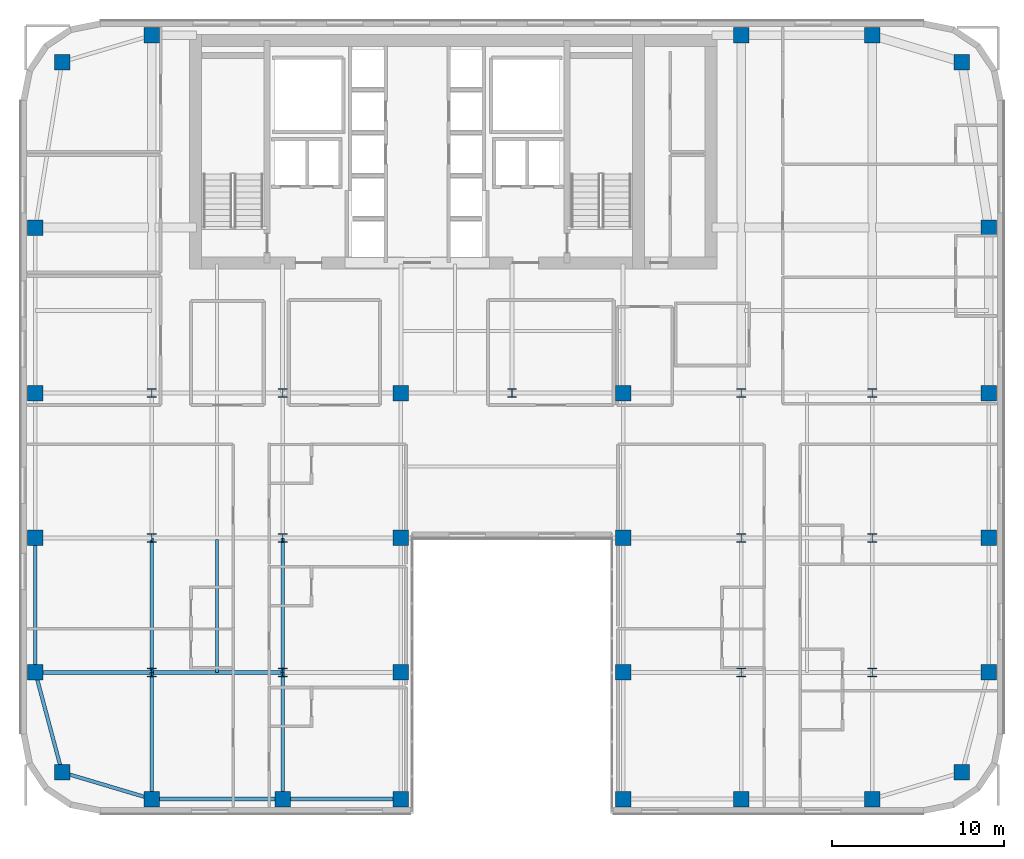
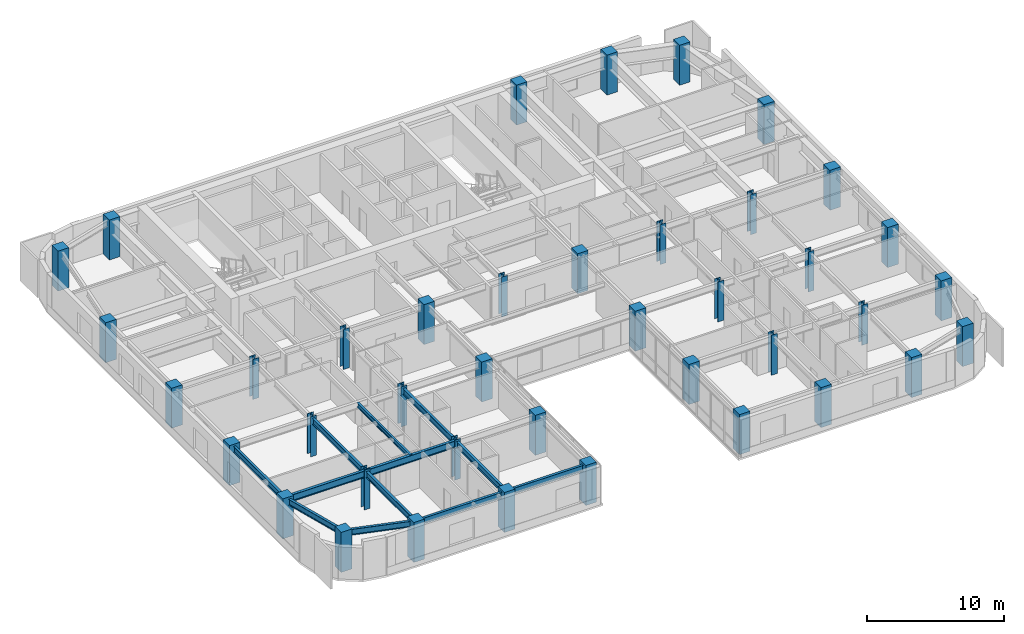
# One storey, part 1 of 24: 40 columns, 12 beams.
"""IFC4 building model written with IfcOpenShell, lengths in metres."""

import ifcopenshell
import ifcopenshell.guid

model = None  # the IFC model being written
_history = None  # IfcOwnerHistory: only IFC2X3 demands one
_inside = {}  # id of a spatial element -> (the spatial element, [elements in it])
_under = {}  # id of a project, library or spatial element -> (it, [spatial elements below it])
_declared = {}  # id of a project -> (the project, [libraries it declares])
_typed = {}  # id of a type object -> (the type object, [elements of that type])
_made_of = {}  # id of a material, layer set ... -> (it, [elements and type objects made of it])


def new_model(schema):
    """Start an empty IFC model of exactly this schema.

    Asked for "IFC4X3", IfcOpenShell would pick the latest addendum, in which some entities
    have other attributes; the version numbers below select the first issue.
    IFC2X3 requires an IfcOwnerHistory on every rooted entity: one is made here for all.
    """
    global model, _history
    if schema == "IFC4X3":
        model = ifcopenshell.file(schema_version=(4, 3, 0, 0))
    else:
        model = ifcopenshell.file(schema=schema)
    _inside.clear()
    _under.clear()
    _declared.clear()
    _typed.clear()
    _made_of.clear()
    _history = None
    if model.schema == "IFC2X3":
        org = make("IfcOrganization", Name="unknown")
        user = make(
            "IfcPersonAndOrganization",
            ThePerson=make("IfcPerson", FamilyName="unknown"),
            TheOrganization=org,
        )
        app = make(
            "IfcApplication",
            ApplicationDeveloper=org,
            Version="unknown",
            ApplicationFullName="unknown",
            ApplicationIdentifier="unknown",
        )
        _history = make(
            "IfcOwnerHistory",
            OwningUser=user,
            OwningApplication=app,
            ChangeAction="ADDED",
            CreationDate=0,
        )
    return model


def make(cls, **values):
    """One entity of the class cls with the attributes given. An attribute that is None is left unset."""
    return model.create_entity(
        cls, **{name: value for name, value in values.items() if value is not None}
    )


def rooted(cls, **values):
    """An entity with a GlobalId (a new one), such as an element, a storey or a relation."""
    return make(cls, GlobalId=ifcopenshell.guid.new(), OwnerHistory=_history, **values)


def si_unit(unit_type, name, prefix=None):
    """IfcSIUnit, for example si_unit("LENGTHUNIT", "METRE", prefix="MILLI")."""
    return make("IfcSIUnit", UnitType=unit_type, Prefix=prefix, Name=name)


def assignment(units):
    """IfcUnitAssignment: the units of a project."""
    return None if units is None else make("IfcUnitAssignment", Units=units)


def point(xyz):
    """IfcCartesianPoint."""
    return None if xyz is None else make("IfcCartesianPoint", Coordinates=xyz)


def direction(xyz):
    """IfcDirection."""
    return None if xyz is None else make("IfcDirection", DirectionRatios=xyz)


def frame(location, z_axis=None, x_axis=None):
    """IfcAxis2Placement3D, a coordinate frame: its origin and axes. An axis left out is left unset."""
    return make(
        "IfcAxis2Placement3D",
        Location=point(location),
        Axis=direction(z_axis),
        RefDirection=direction(x_axis),
    )


def frame_2d(location, x_axis=None):
    """IfcAxis2Placement2D, a coordinate frame in the plane: its origin and x axis."""
    return make(
        "IfcAxis2Placement2D", Location=point(location), RefDirection=direction(x_axis)
    )


def origin():
    """The frame at (0, 0, 0) with its axes left unset."""
    return frame((0.0, 0.0, 0.0))


def origin_2d():
    """The frame at (0, 0) in the plane with its x axis left unset."""
    return frame_2d((0.0, 0.0))


def place(relative_to, where):
    """IfcLocalPlacement: puts the frame where relative to a parent placement (None: the world)."""
    return make(
        "IfcLocalPlacement", PlacementRelTo=relative_to, RelativePlacement=where
    )


def context(
    kind, dimensions, precision=None, world=None, true_north=None, identifier=None
):
    """IfcGeometricRepresentationContext, for example the 3D "Model" context."""
    return make(
        "IfcGeometricRepresentationContext",
        ContextIdentifier=identifier,
        ContextType=kind,
        CoordinateSpaceDimension=dimensions,
        Precision=precision,
        WorldCoordinateSystem=world,
        TrueNorth=true_north,
    )


def subcontext(parent, identifier, kind, view, scale=None):
    """IfcGeometricRepresentationSubContext, for example "Body" below "Model"."""
    return make(
        "IfcGeometricRepresentationSubContext",
        ContextIdentifier=identifier,
        ContextType=kind,
        ParentContext=parent,
        TargetScale=scale,
        TargetView=view,
    )


def project(units=None, contexts=None):
    """IfcProject with its units and contexts."""
    return rooted(
        "IfcProject",
        Name="project",
        RepresentationContexts=contexts,
        UnitsInContext=assignment(units),
    )


def spatial(cls, under=None, at=None, **own):
    """A site, building, storey or space (cls), placed at a placement, below another one or the project."""
    s = rooted(cls, ObjectPlacement=at, **own)
    if under is not None:
        _under.setdefault(under.id(), (under, []))[1].append(s)
    return s


def profile(cls, at=None, kind="AREA", **sizes):
    """A parametric profile (cls). Its sizes go by their IFC names, for example OverallWidth=200.0."""
    return make(cls, ProfileType=kind, Position=at, **sizes)


def rectangle(**sizes):
    """IfcRectangleProfileDef."""
    return profile("IfcRectangleProfileDef", **sizes)


def i_section(**sizes):
    """IfcIShapeProfileDef."""
    return profile("IfcIShapeProfileDef", **sizes)


def extrude(swept, where, along, depth):
    """IfcExtrudedAreaSolid: the profile swept, set in the frame where, extruded along a direction by depth."""
    return make(
        "IfcExtrudedAreaSolid",
        SweptArea=swept,
        Position=where,
        ExtrudedDirection=direction(along),
        Depth=depth,
    )


def shape(context_of_items, identifier, shape_type, items):
    """IfcShapeRepresentation: the items that make up one representation, for example the "Body"."""
    return make(
        "IfcShapeRepresentation",
        ContextOfItems=context_of_items,
        RepresentationIdentifier=identifier,
        RepresentationType=shape_type,
        Items=items,
    )


def source(mapping_origin, context_of_items, identifier, shape_type, items):
    """IfcRepresentationMap: a shape defined once, which mapped items show again and again."""
    return make(
        "IfcRepresentationMap",
        MappingOrigin=mapping_origin,
        MappedRepresentation=shape(context_of_items, identifier, shape_type, items),
    )


def transform(
    local_origin,
    x_axis=None,
    y_axis=None,
    z_axis=None,
    scale=None,
    scale2=None,
    scale3=None,
    uniform=True,
):
    """IfcCartesianTransformationOperator3D, or its non-uniform kind. x_axis, y_axis, z_axis: its Axis1, 2, 3."""
    if uniform:
        return make(
            "IfcCartesianTransformationOperator3D",
            Axis1=direction(x_axis),
            Axis2=direction(y_axis),
            LocalOrigin=point(local_origin),
            Scale=scale,
            Axis3=direction(z_axis),
        )
    return make(
        "IfcCartesianTransformationOperator3DnonUniform",
        Axis1=direction(x_axis),
        Axis2=direction(y_axis),
        LocalOrigin=point(local_origin),
        Scale=scale,
        Axis3=direction(z_axis),
        Scale2=scale2,
        Scale3=scale3,
    )


def mapped(mapping_source, mapping_target):
    """IfcMappedItem: shows the shape of a source again, moved by a transform."""
    return make(
        "IfcMappedItem", MappingSource=mapping_source, MappingTarget=mapping_target
    )


def material(Name=None, Category=None):
    """IfcMaterial."""
    return make("IfcMaterial", Name=Name, Category=Category)


def material_profile(
    of_material, cross_section, Name=None, Category=None, Priority=None
):
    """IfcMaterialProfile: a cross section and its material."""
    return make(
        "IfcMaterialProfile",
        Name=Name,
        Material=of_material,
        Profile=cross_section,
        Priority=Priority,
        Category=Category,
    )


def profile_set(profiles, Name=None, composite=None):
    """IfcMaterialProfileSet."""
    return make(
        "IfcMaterialProfileSet",
        Name=Name,
        MaterialProfiles=profiles,
        CompositeProfile=composite,
    )


def made_of(thing, what):
    """Note that an element or type object is made of a material, layer set ...; save() writes the relation."""
    if what is not None:
        _made_of.setdefault(what.id(), (what, []))[1].append(thing)
    return thing


def type_object(cls, material=None, **own):
    """A type object (cls), such as IfcWallType, which elements share."""
    return made_of(rooted(cls, **own), material)


def type_shapes(of_type, sources):
    """Give a type object the sources (RepresentationMaps) that its elements show as mapped items."""
    of_type.RepresentationMaps = sources


def element(
    cls,
    number,
    at=None,
    inside=None,
    cuts=None,
    type_object=None,
    material=None,
    context=None,
    identifier="Body",
    shape_type=None,
    held_by="IfcProductDefinitionShape",
    body=None,
    shapes=None,
    **own,
):
    """One element of the class cls, such as IfcWall. Its Tag is "e" and its number.

    at: its placement. inside: the storey or other place that contains it. cuts: it is an
    opening in that element (IfcRelVoidsElement). A single representation is given by context,
    identifier, shape_type and body (its items); several are given by shapes. held_by: the class
    of the entity that holds the representations. save() writes the other relations.
    """
    e = rooted(cls, Tag="e%d" % number, ObjectPlacement=at, **own)
    if body is not None:
        shapes = [shape(context, identifier, shape_type, body)]
    if shapes is not None:
        e.Representation = make(held_by, Representations=shapes)
    if inside is not None:
        _inside.setdefault(inside.id(), (inside, []))[1].append(e)
    if cuts is not None:
        rooted(
            "IfcRelVoidsElement", RelatingBuildingElement=cuts, RelatedOpeningElement=e
        )
    if type_object is not None:
        _typed.setdefault(type_object.id(), (type_object, []))[1].append(e)
    return made_of(e, material)


def aggregate(whole, parts):
    """IfcRelAggregates: a whole, such as a stair, and the parts it consists of."""
    return rooted("IfcRelAggregates", RelatingObject=whole, RelatedObjects=parts)


def save(model, path):
    """Write the relations noted so far, then the file.

    IfcRelAggregates (storeys below a building ...), IfcRelContainedInSpatialStructure (elements
    in a storey), IfcRelDefinesByType, IfcRelAssociatesMaterial and IfcRelDeclares: one each for
    every whole, place, type object, material and project.
    """
    for whole, parts in _under.values():
        aggregate(whole, parts)
    for where, things in _inside.values():
        rooted(
            "IfcRelContainedInSpatialStructure",
            RelatedElements=things,
            RelatingStructure=where,
        )
    for kind, things in _typed.values():
        rooted("IfcRelDefinesByType", RelatedObjects=things, RelatingType=kind)
    for what, things in _made_of.values():
        rooted("IfcRelAssociatesMaterial", RelatedObjects=things, RelatingMaterial=what)
    for by, libraries in _declared.values():
        rooted("IfcRelDeclares", RelatingContext=by, RelatedDefinitions=libraries)
    model.write(path)


model = new_model("IFC4")

# Units and contexts
model_context = context("Model", 3, precision=1e-05, world=origin(), true_north=direction((0.0, 1.0)))
body_context = subcontext(model_context, "Body", "Model", "MODEL_VIEW")
ifc_project = project(units=[si_unit("LENGTHUNIT", "METRE"), si_unit("AREAUNIT", "SQUARE_METRE"), si_unit("VOLUMEUNIT", "CUBIC_METRE"), si_unit("PLANEANGLEUNIT", "RADIAN"), si_unit("MASSUNIT", "GRAM", prefix="KILO")], contexts=[model_context])

# Site, building, storey
site_placement = place(None, origin())
site = spatial("IfcSite", under=ifc_project, at=site_placement, CompositionType="ELEMENT")
building_placement = place(site_placement, origin())
building = spatial("IfcBuilding", under=site, at=building_placement, Name="Tolvann Quenvar Hotel", CompositionType="ELEMENT")
storey_placement = place(building_placement, frame((0.0, 0.0, 139.949951171875)))
storey = spatial("IfcBuildingStorey", under=building, at=storey_placement, Name="L36", CompositionType="ELEMENT", Elevation=139.949951171875)

# Columns
ifc_material_1 = material(Name="Concrete S65 (65 MPa)", Category="concrete")
ifc_material_profile_1 = material_profile(ifc_material_1, rectangle(XDim=0.89990234375, YDim=0.89990234375, at=origin_2d()), Name="RC900x900")
ifc_profile_set_1 = profile_set([ifc_material_profile_1], Name="Concrete S65 (65 MPa)")
column_type_1 = type_object("IfcColumnType", Name="COL_RC900", PredefinedType="COLUMN", material=ifc_profile_set_1)
shared_shape_1 = source(origin(), body_context, "Body", "SweptSolid", [
    extrude(rectangle(XDim=0.89990234375, YDim=0.89990234375, at=origin_2d()), origin(), (0.0, 0.0, 1.0), 3.550048828125),
])
type_shapes(column_type_1, [shared_shape_1])
for number, where, z_axis, x_axis, name in (
    (1, (2.39990234375, 2.39990234375, 0.0), (0.0, 0.0, 1.0), (1.0, 0.0, 0.0), "Column B2 (L36)"),
    (2, (0.85009765625, 8.199951171875, 0.0), (0.0, 0.0, 1.0), (1.0, 0.0, 0.0), "Column B3 (L36)"),
    (3, (0.85009765625, 16.0, 0.0), (0.0, 0.0, 1.0), (1.0, 0.0, 0.0), "Column B4 (L36)"),
    (4, (0.85009765625, 24.39990234375, 0.0), (0.0, 0.0, 1.0), (1.0, 0.0, 0.0), "Column B5 (L36)"),
    (5, (7.60009765625, 0.85009765625, 0.0), (0.0, 0.0, 1.0), (1.0, 0.0, 0.0), "Column C2 (L36)"),
    (6, (15.199951171875, 0.85009765625, 0.0), (0.0, 0.0, 1.0), (1.0, 0.0, 0.0), "Column D2 (L36)"),
    (7, (22.050048828125, 0.85009765625, 0.0), (0.0, 0.0, 1.0), (1.0, 0.0, 0.0), "Column E2 (L36)"),
    (8, (22.050048828125, 8.199951171875, 0.0), (0.0, 0.0, 1.0), (1.0, 0.0, 0.0), "Column E3 (L36)"),
    (9, (22.050048828125, 16.0, 0.0), (0.0, 0.0, 1.0), (1.0, 0.0, 0.0), "Column E4 (L36)"),
    (10, (22.050048828125, 24.39990234375, 0.0), (0.0, 0.0, 1.0), (1.0, 0.0, 0.0), "Column E5 (L36)"),
    (11, (34.949951171875, 0.85009765625, 0.0), (0.0, 0.0, 1.0), (1.0, 0.0, 0.0), "Column F2 (L36)"),
    (12, (34.949951171875, 8.199951171875, 0.0), (0.0, 0.0, 1.0), (1.0, 0.0, 0.0), "Column F3 (L36)"),
    (13, (34.949951171875, 16.0, 0.0), (0.0, 0.0, 1.0), (1.0, 0.0, 0.0), "Column F4 (L36)"),
    (14, (34.949951171875, 24.39990234375, 0.0), (0.0, 0.0, 1.0), (1.0, 0.0, 0.0), "Column F5 (L36)"),
    (15, (41.800048828125, 0.85009765625, 0.0), (0.0, 0.0, 1.0), (1.0, 0.0, 0.0), "Column H2 (L36)"),
    (16, (49.39990234375, 0.85009765625, 0.0), (0.0, 0.0, 1.0), (1.0, 0.0, 0.0), "Column I2 (L36)"),
    (17, (54.60009765625, 2.39990234375, 0.0), (0.0, 0.0, 1.0), (1.0, 0.0, 0.0), "Column J2 (L36)"),
    (18, (56.14990234375, 8.199951171875, 0.0), (0.0, 0.0, 1.0), (1.0, 0.0, 0.0), "Column J3 (L36)"),
    (19, (56.14990234375, 16.0, 0.0), (0.0, 0.0, 1.0), (1.0, 0.0, 0.0), "Column J4 (L36)"),
    (20, (56.14990234375, 24.39990234375, 0.0), (0.0, 0.0, 1.0), (1.0, 0.0, 0.0), "Column J5 (L36)"),
    (21, (2.39990234375, 43.60009765625, 0.0), (0.0, 0.0, 1.0), (1.0, 0.0, 0.0), "Column BN (L36)"),
    (22, (7.60009765625, 45.14990234375, 0.0), (0.0, 0.0, 1.0), (1.0, 0.0, 0.0), "Column CN (L36)"),
    (23, (0.85009765625, 34.0, 0.0), (0.0, 0.0, 1.0), (1.0, 0.0, 0.0), "Column BD6 (L36)"),
    (24, (41.800048828125, 45.14990234375, 0.0), (0.0, 0.0, 1.0), (1.0, 0.0, 0.0), "Column HN (L36)"),
    (25, (49.39990234375, 45.14990234375, 0.0), (0.0, 0.0, 1.0), (1.0, 0.0, 0.0), "Column IN (L36)"),
    (26, (54.60009765625, 43.60009765625, 0.0), (0.0, 0.0, 1.0), (1.0, 0.0, 0.0), "Column JN (L36)"),
    (27, (56.14990234375, 34.0, 0.0), (0.0, 0.0, 1.0), (1.0, 0.0, 0.0), "Column JD6 (L36)"),
):
    element("IfcColumn", number, at=place(storey_placement, frame(where, z_axis=z_axis, x_axis=x_axis)), inside=storey, type_object=column_type_1, Name=name, PredefinedType="COLUMN", context=body_context, shape_type="MappedRepresentation", body=[
        mapped(shared_shape_1, transform((0.0, 0.0, 0.0), x_axis=(1.0, 0.0, 0.0), y_axis=(0.0, 1.0, 0.0), z_axis=(0.0, 0.0, 1.0), scale=1.0)),
    ])
ifc_material_2 = material(Name="Steel Grade 350", Category="steel")
ifc_material_profile_2 = material_profile(ifc_material_2, i_section(OverallWidth=0.5, OverallDepth=0.5, WebThickness=0.02197265625, FlangeThickness=0.033935546875, at=origin_2d()), Name="500WC340")
ifc_profile_set_2 = profile_set([ifc_material_profile_2], Name="Steel Grade 350")
column_type_2 = type_object("IfcColumnType", Name="COL_500WC340", PredefinedType="COLUMN", material=ifc_profile_set_2)
shared_shape_2 = source(origin(), body_context, "Body", "SweptSolid", [
    extrude(i_section(OverallWidth=0.5, OverallDepth=0.5, WebThickness=0.02197265625, FlangeThickness=0.033935546875, at=origin_2d()), origin(), (0.0, 0.0, 1.0), 3.550048828125),
])
type_shapes(column_type_2, [shared_shape_2])
for number, where, z_axis, x_axis, name in (
    (28, (7.60009765625, 8.199951171875, 0.0), (0.0, 0.0, 1.0), (1.0, 0.0, 0.0), "Column C3 (L36)"),
    (29, (7.60009765625, 16.0, 0.0), (0.0, 0.0, 1.0), (1.0, 0.0, 0.0), "Column C4 (L36)"),
    (30, (7.60009765625, 24.39990234375, 0.0), (0.0, 0.0, 1.0), (1.0, 0.0, 0.0), "Column C5 (L36)"),
    (31, (15.199951171875, 8.199951171875, 0.0), (0.0, 0.0, 1.0), (1.0, 0.0, 0.0), "Column D3 (L36)"),
    (32, (15.199951171875, 16.0, 0.0), (0.0, 0.0, 1.0), (1.0, 0.0, 0.0), "Column D4 (L36)"),
    (33, (15.199951171875, 24.39990234375, 0.0), (0.0, 0.0, 1.0), (1.0, 0.0, 0.0), "Column D5 (L36)"),
    (34, (41.800048828125, 8.199951171875, 0.0), (0.0, 0.0, 1.0), (1.0, 0.0, 0.0), "Column H3 (L36)"),
    (35, (41.800048828125, 16.0, 0.0), (0.0, 0.0, 1.0), (1.0, 0.0, 0.0), "Column H4 (L36)"),
    (36, (41.800048828125, 24.39990234375, 0.0), (0.0, 0.0, 1.0), (1.0, 0.0, 0.0), "Column H5 (L36)"),
    (37, (49.39990234375, 8.199951171875, 0.0), (0.0, 0.0, 1.0), (1.0, 0.0, 0.0), "Column I3 (L36)"),
    (38, (49.39990234375, 16.0, 0.0), (0.0, 0.0, 1.0), (1.0, 0.0, 0.0), "Column I4 (L36)"),
    (39, (49.39990234375, 24.39990234375, 0.0), (0.0, 0.0, 1.0), (1.0, 0.0, 0.0), "Column I5 (L36)"),
    (40, (28.5, 24.39990234375, 0.0), (0.0, 0.0, 1.0), (1.0, 0.0, 0.0), "Column M5 (L36)"),
):
    element("IfcColumn", number, at=place(storey_placement, frame(where, z_axis=z_axis, x_axis=x_axis)), inside=storey, type_object=column_type_2, Name=name, PredefinedType="COLUMN", context=body_context, shape_type="MappedRepresentation", body=[
        mapped(shared_shape_2, transform((0.0, 0.0, 0.0), x_axis=(1.0, 0.0, 0.0), y_axis=(0.0, 1.0, 0.0), z_axis=(0.0, 0.0, 1.0), scale=1.0)),
    ])

# Beams
ifc_material_profile_3 = material_profile(ifc_material_2, i_section(OverallWidth=0.208984375, OverallDepth=0.528076171875, WebThickness=0.009521484375, FlangeThickness=0.01318359375, FilletRadius=0.013916015625, at=origin_2d()), Name="530UB82")
ifc_profile_set_3 = profile_set([ifc_material_profile_3], Name="Steel Grade 350")
beam_type_1 = type_object("IfcBeamType", Name="BM_SPAND_530UB82", PredefinedType="SPANDREL", material=ifc_profile_set_3)
shared_shape_3 = source(origin(), body_context, "Body", "SweptSolid", [
    extrude(i_section(OverallWidth=0.208984375, OverallDepth=0.528076171875, WebThickness=0.009521484375, FlangeThickness=0.01318359375, FilletRadius=0.013916015625, at=origin_2d()), origin(), (0.0, 0.0, 1.0), 5.42626953125),
])
beam_1_placement = place(storey_placement, frame((2.39990234375, 2.39990234375, 3.10595703125), z_axis=(0.958344815522, -0.285613750654, 0.0), x_axis=(0.285613750654, 0.958344815522, 0.0)))
element("IfcBeam", 41, at=beam_1_placement, inside=storey, type_object=beam_type_1, Name="BM-L36-EW-2-B2-C2", PredefinedType="SPANDREL", context=body_context, shape_type="MappedRepresentation", body=[
    mapped(shared_shape_3, transform((0.0, 0.0, 0.0), x_axis=(1.0, 0.0, 0.0), y_axis=(0.0, 1.0, 0.0), z_axis=(0.0, 0.0, 1.0), scale=1.0)),
])
shared_shape_4 = source(origin(), body_context, "Body", "SweptSolid", [
    extrude(i_section(OverallWidth=0.208984375, OverallDepth=0.528076171875, WebThickness=0.009521484375, FlangeThickness=0.01318359375, FilletRadius=0.013916015625, at=origin_2d()), origin(), (0.0, 0.0, 1.0), 7.599853515625),
])
beam_2_placement = place(storey_placement, frame((7.60009765625, 0.85009765625, 3.10595703125), z_axis=(1.0, 0.0, 0.0), x_axis=(0.0, 1.0, 0.0)))
element("IfcBeam", 42, at=beam_2_placement, inside=storey, type_object=beam_type_1, Name="BM-L36-EW-2-C2-D2", PredefinedType="SPANDREL", context=body_context, shape_type="MappedRepresentation", body=[
    mapped(shared_shape_4, transform((0.0, 0.0, 0.0), x_axis=(1.0, 0.0, 0.0), y_axis=(0.0, 1.0, 0.0), z_axis=(0.0, 0.0, 1.0), scale=1.0)),
])
shared_shape_5 = source(origin(), body_context, "Body", "SweptSolid", [
    extrude(i_section(OverallWidth=0.208984375, OverallDepth=0.528076171875, WebThickness=0.009521484375, FlangeThickness=0.01318359375, FilletRadius=0.013916015625, at=origin_2d()), origin(), (0.0, 0.0, 1.0), 6.85009765625),
])
beam_3_placement = place(storey_placement, frame((15.199951171875, 0.85009765625, 3.10595703125), z_axis=(1.0, 0.0, 0.0), x_axis=(0.0, 1.0, 0.0)))
element("IfcBeam", 43, at=beam_3_placement, inside=storey, type_object=beam_type_1, Name="BM-L36-EW-2-D2-E2", PredefinedType="SPANDREL", context=body_context, shape_type="MappedRepresentation", body=[
    mapped(shared_shape_5, transform((0.0, 0.0, 0.0), x_axis=(1.0, 0.0, 0.0), y_axis=(0.0, 1.0, 0.0), z_axis=(0.0, 0.0, 1.0), scale=1.0)),
])
ifc_material_profile_4 = material_profile(ifc_material_2, i_section(OverallWidth=0.22900390625, OverallDepth=0.612060546875, WebThickness=0.011962890625, FlangeThickness=0.01953125, FilletRadius=0.013916015625, at=origin_2d()), Name="610UB125")
ifc_profile_set_4 = profile_set([ifc_material_profile_4], Name="Steel Grade 350")
beam_type_2 = type_object("IfcBeamType", Name="BM_GIRD_610UB125", PredefinedType="BEAM", material=ifc_profile_set_4)
shared_shape_6 = source(origin(), body_context, "Body", "SweptSolid", [
    extrude(i_section(OverallWidth=0.22900390625, OverallDepth=0.612060546875, WebThickness=0.011962890625, FlangeThickness=0.01953125, FilletRadius=0.013916015625, at=origin_2d()), origin(), (0.0, 0.0, 1.0), 6.75),
])
beam_4_placement = place(storey_placement, frame((0.85009765625, 8.199951171875, 3.06396484375), z_axis=(1.0, 0.0, 0.0), x_axis=(0.0, 1.0, 0.0)))
element("IfcBeam", 44, at=beam_4_placement, inside=storey, type_object=beam_type_2, Name="BM-L36-EW-3-B3-C3", PredefinedType="BEAM", context=body_context, shape_type="MappedRepresentation", body=[
    mapped(shared_shape_6, transform((0.0, 0.0, 0.0), x_axis=(1.0, 0.0, 0.0), y_axis=(0.0, 1.0, 0.0), z_axis=(0.0, 0.0, 1.0), scale=1.0)),
])
shared_shape_7 = source(origin(), body_context, "Body", "SweptSolid", [
    extrude(i_section(OverallWidth=0.22900390625, OverallDepth=0.612060546875, WebThickness=0.011962890625, FlangeThickness=0.01953125, FilletRadius=0.013916015625, at=origin_2d()), origin(), (0.0, 0.0, 1.0), 7.599853515625),
])
type_shapes(beam_type_2, [shared_shape_6, shared_shape_7])
beam_5_placement = place(storey_placement, frame((7.60009765625, 8.199951171875, 3.06396484375), z_axis=(1.0, 0.0, 0.0), x_axis=(0.0, 1.0, 0.0)))
element("IfcBeam", 45, at=beam_5_placement, inside=storey, type_object=beam_type_2, Name="BM-L36-EW-3-C3-D3", PredefinedType="BEAM", context=body_context, shape_type="MappedRepresentation", body=[
    mapped(shared_shape_7, transform((0.0, 0.0, 0.0), x_axis=(1.0, 0.0, 0.0), y_axis=(0.0, 1.0, 0.0), z_axis=(0.0, 0.0, 1.0), scale=1.0)),
])
shared_shape_8 = source(origin(), body_context, "Body", "SweptSolid", [
    extrude(i_section(OverallWidth=0.208984375, OverallDepth=0.528076171875, WebThickness=0.009521484375, FlangeThickness=0.01318359375, FilletRadius=0.013916015625, at=origin_2d()), origin(), (0.0, 0.0, 1.0), 6.00341796875),
])
beam_6_placement = place(storey_placement, frame((2.39990234375, 2.39990234375, 3.10595703125), z_axis=(-0.258148586649, 0.966105225745, 0.0), x_axis=(-0.966105225745, -0.258148586649, 0.0)))
element("IfcBeam", 46, at=beam_6_placement, inside=storey, type_object=beam_type_1, Name="BM-L36-NS-B2-B3", PredefinedType="SPANDREL", context=body_context, shape_type="MappedRepresentation", body=[
    mapped(shared_shape_8, transform((0.0, 0.0, 0.0), x_axis=(1.0, 0.0, 0.0), y_axis=(0.0, 1.0, 0.0), z_axis=(0.0, 0.0, 1.0), scale=1.0)),
])
shared_shape_9 = source(origin(), body_context, "Body", "SweptSolid", [
    extrude(i_section(OverallWidth=0.208984375, OverallDepth=0.528076171875, WebThickness=0.009521484375, FlangeThickness=0.01318359375, FilletRadius=0.013916015625, at=origin_2d()), origin(), (0.0, 0.0, 1.0), 7.800048828125),
])
type_shapes(beam_type_1, [shared_shape_3, shared_shape_4, shared_shape_5, shared_shape_8, shared_shape_9])
beam_7_placement = place(storey_placement, frame((0.85009765625, 8.199951171875, 3.10595703125), z_axis=(0.0, 1.0, 0.0), x_axis=(-1.0, 0.0, 0.0)))
element("IfcBeam", 47, at=beam_7_placement, inside=storey, type_object=beam_type_1, Name="BM-L36-NS-B3-B4", PredefinedType="SPANDREL", context=body_context, shape_type="MappedRepresentation", body=[
    mapped(shared_shape_9, transform((0.0, 0.0, 0.0), x_axis=(1.0, 0.0, 0.0), y_axis=(0.0, 1.0, 0.0), z_axis=(0.0, 0.0, 1.0), scale=1.0)),
])
ifc_material_profile_5 = material_profile(ifc_material_2, i_section(OverallWidth=0.208984375, OverallDepth=0.532958984375, WebThickness=0.01025390625, FlangeThickness=0.015625, FilletRadius=0.013916015625, at=origin_2d()), Name="530UB92")
ifc_profile_set_5 = profile_set([ifc_material_profile_5], Name="Steel Grade 350")
beam_type_3 = type_object("IfcBeamType", Name="BM_GIRD_530UB92", PredefinedType="BEAM", material=ifc_profile_set_5)
shared_shape_10 = source(origin(), body_context, "Body", "SweptSolid", [
    extrude(i_section(OverallWidth=0.208984375, OverallDepth=0.532958984375, WebThickness=0.01025390625, FlangeThickness=0.015625, FilletRadius=0.013916015625, at=origin_2d()), origin(), (0.0, 0.0, 1.0), 7.349853515625),
])
for number, where, z_axis, x_axis, name in (
    (48, (7.60009765625, 0.85009765625, 3.103515625), (0.0, 1.0, 0.0), (-1.0, 0.0, 0.0), "BM-L36-NS-C2-C3"),
    (49, (15.199951171875, 0.85009765625, 3.103515625), (0.0, 1.0, 0.0), (-1.0, 0.0, 0.0), "BM-L36-NS-D2-D3"),
):
    element("IfcBeam", number, at=place(storey_placement, frame(where, z_axis=z_axis, x_axis=x_axis)), inside=storey, type_object=beam_type_3, Name=name, PredefinedType="BEAM", context=body_context, shape_type="MappedRepresentation", body=[
        mapped(shared_shape_10, transform((0.0, 0.0, 0.0), x_axis=(1.0, 0.0, 0.0), y_axis=(0.0, 1.0, 0.0), z_axis=(0.0, 0.0, 1.0), scale=1.0)),
    ])
shared_shape_11 = source(origin(), body_context, "Body", "SweptSolid", [
    extrude(i_section(OverallWidth=0.208984375, OverallDepth=0.532958984375, WebThickness=0.01025390625, FlangeThickness=0.015625, FilletRadius=0.013916015625, at=origin_2d()), origin(), (0.0, 0.0, 1.0), 7.800048828125),
])
type_shapes(beam_type_3, [shared_shape_10, shared_shape_11])
for number, where, z_axis, x_axis, name in (
    (50, (7.60009765625, 8.199951171875, 3.103515625), (0.0, 1.0, 0.0), (-1.0, 0.0, 0.0), "BM-L36-NS-C3-C4"),
    (51, (15.199951171875, 8.199951171875, 3.103515625), (0.0, 1.0, 0.0), (-1.0, 0.0, 0.0), "BM-L36-NS-D3-D4"),
):
    element("IfcBeam", number, at=place(storey_placement, frame(where, z_axis=z_axis, x_axis=x_axis)), inside=storey, type_object=beam_type_3, Name=name, PredefinedType="BEAM", context=body_context, shape_type="MappedRepresentation", body=[
        mapped(shared_shape_11, transform((0.0, 0.0, 0.0), x_axis=(1.0, 0.0, 0.0), y_axis=(0.0, 1.0, 0.0), z_axis=(0.0, 0.0, 1.0), scale=1.0)),
    ])
ifc_material_profile_6 = material_profile(ifc_material_2, i_section(OverallWidth=0.177978515625, OverallDepth=0.406005859375, WebThickness=0.0078125, FlangeThickness=0.0126953125, FilletRadius=0.011474609375, at=origin_2d()), Name="410UB60")
ifc_profile_set_6 = profile_set([ifc_material_profile_6], Name="Steel Grade 350")
beam_type_4 = type_object("IfcBeamType", Name="BM_JOIST_410UB60", PredefinedType="JOIST", material=ifc_profile_set_6)
shared_shape_12 = source(origin(), body_context, "Body", "SweptSolid", [
    extrude(i_section(OverallWidth=0.177978515625, OverallDepth=0.406005859375, WebThickness=0.0078125, FlangeThickness=0.0126953125, FilletRadius=0.011474609375, at=origin_2d()), origin(), (0.0, 0.0, 1.0), 7.691650390625),
])
type_shapes(beam_type_4, [shared_shape_12])
beam_8_placement = place(storey_placement, frame((11.39990234375, 8.199951171875, 3.1669921875), z_axis=(0.0, 1.0, 0.0), x_axis=(-1.0, 0.0, 0.0)))
element("IfcBeam", 52, at=beam_8_placement, inside=storey, type_object=beam_type_4, Name="BJ-L36-114-82", PredefinedType="JOIST", context=body_context, shape_type="MappedRepresentation", body=[
    mapped(shared_shape_12, transform((0.0, 0.0, 0.0), x_axis=(1.0, 0.0, 0.0), y_axis=(0.0, 1.0, 0.0), z_axis=(0.0, 0.0, 1.0), scale=1.0)),
])

save(model, "model.ifc")
